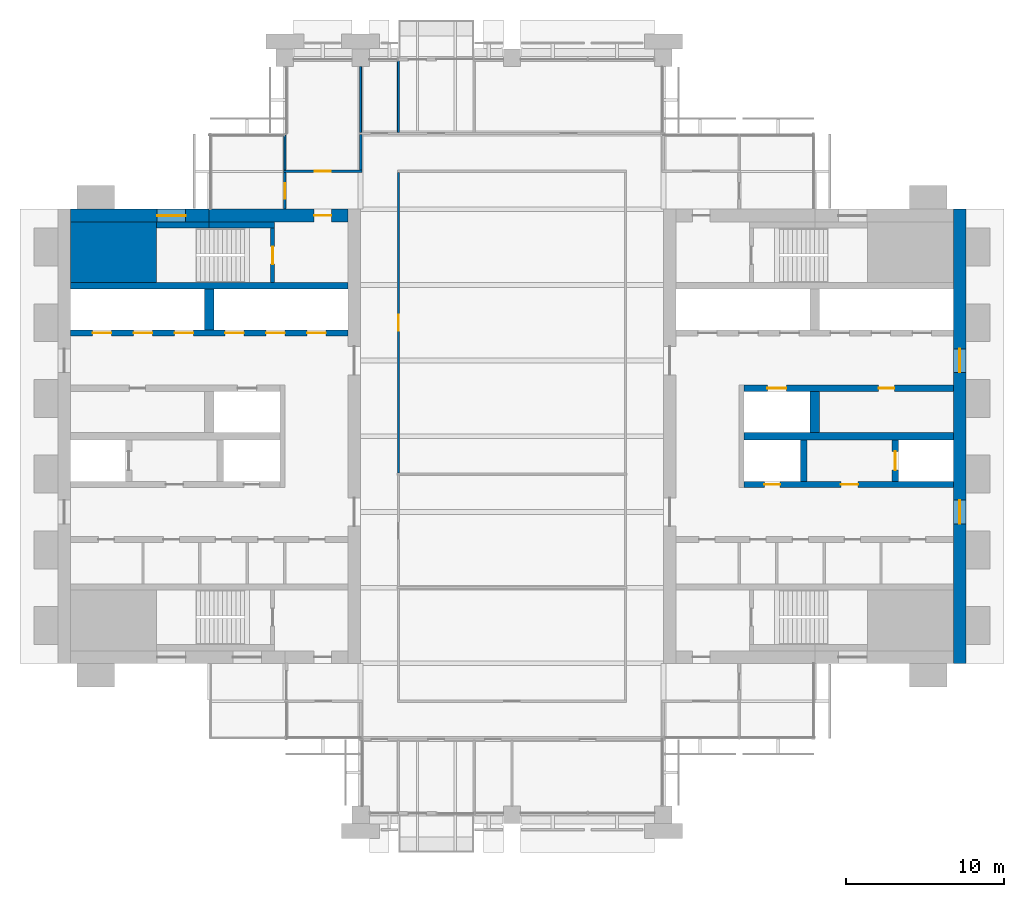
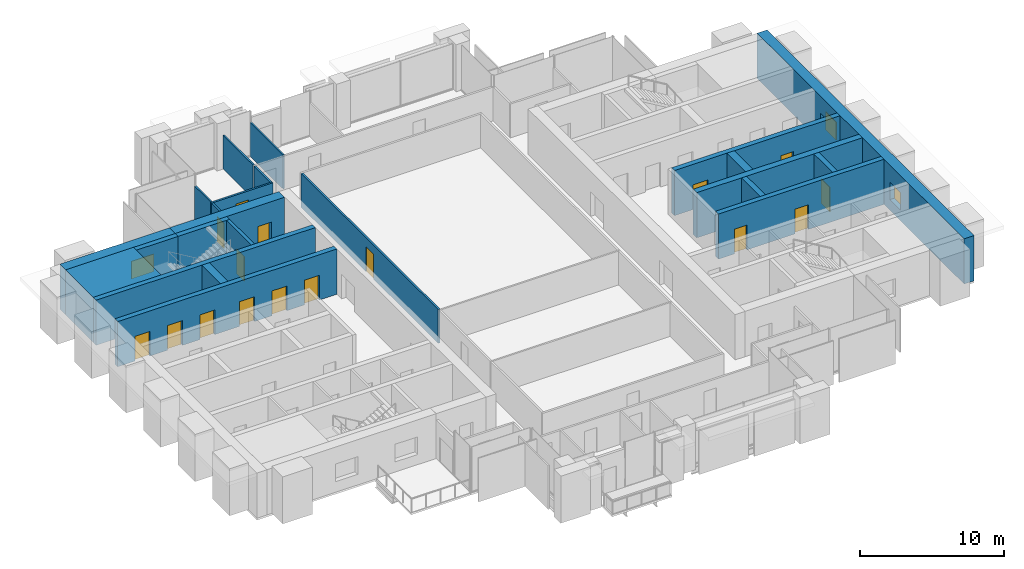
# One storey, part 10 of 14: 23 walls, 16 doors, 3 windows, 19 openings.
"""IFC4 building model written with IfcOpenShell, lengths in metres."""

from ifc_helpers import new_model, si_unit, direction, frame, frame_2d, origin, place, context, subcontext, project, spatial, rectangle, extrude, material, layer, layer_set, type_object, element, fill, save


model = new_model("IFC4")

# Units and contexts
model_context = context("Model", 3, precision=1e-05, world=origin(), true_north=direction((0.0, 1.0)))
body_context = subcontext(model_context, "Body", "Model", "MODEL_VIEW")
ifc_project = project(units=[si_unit("LENGTHUNIT", "METRE"), si_unit("AREAUNIT", "SQUARE_METRE"), si_unit("VOLUMEUNIT", "CUBIC_METRE"), si_unit("PLANEANGLEUNIT", "RADIAN"), si_unit("MASSUNIT", "GRAM", prefix="KILO")], contexts=[model_context])

# Site, building, storey
site_placement = place(None, origin())
site = spatial("IfcSite", under=ifc_project, at=site_placement, CompositionType="ELEMENT")
building_placement = place(site_placement, origin())
building = spatial("IfcBuilding", under=site, at=building_placement, Name="Baori Bourse Tower", CompositionType="ELEMENT")
storey_placement = place(building_placement, frame((0.0, 0.0, 209.199951171875)))
storey = spatial("IfcBuildingStorey", under=building, at=storey_placement, Name="L45", CompositionType="ELEMENT", Elevation=209.199951171875)

# Wall
ifc_material_1 = material(Name="Concrete f'c 50 MPa", Category="concrete")
wall_type_1 = type_object("IfcWallType", Name="Core corner block f'c 50", PredefinedType="SHEAR", material=ifc_material_1)
wall_1_placement = place(storey_placement, frame((0.800048828125, 35.675048828125, 0.0), z_axis=(0.0, 0.0, 1.0), x_axis=(1.0, 0.0, 0.0)))
element("IfcWall", 1, at=wall_1_placement, inside=storey, type_object=wall_type_1, Name="Core wall W24", PredefinedType="SHEAR", context=body_context, shape_type="SweptSolid", body=[
    extrude(rectangle(XDim=5.449951171875, YDim=3.85009765625, at=frame_2d((2.72509765625, 0.0))), origin(), (0.0, 0.0, 1.0), 3.840087890625),
])

# Wall, opening, window
ifc_material_2 = material(Name="Concrete f'c 50 MPa", Category="concrete")
ifc_layer_1 = layer(ifc_material_2, 0.800048828125)
ifc_layer_set_1 = layer_set([ifc_layer_1], Name="Core wall 800 f'c 50")
wall_type_2 = type_object("IfcWallType", Name="Core wall 800 f'c 50", PredefinedType="SHEAR", material=ifc_layer_set_1)
wall_2_placement = place(storey_placement, frame((0.800048828125, 38.0, 0.0), z_axis=(0.0, 0.0, 1.0), x_axis=(1.0, 0.0, 0.0)))
wall_2 = element("IfcWall", 2, at=wall_2_placement, inside=storey, type_object=wall_type_2, Name="Core wall W28", PredefinedType="SHEAR", context=body_context, shape_type="SweptSolid", body=[
    extrude(rectangle(XDim=8.800048828125, YDim=0.800048828125, at=frame_2d((4.39990234375, 0.0))), origin(), (0.0, 0.0, 1.0), 3.840087890625),
])
opening_1_placement = place(wall_2_placement, frame((5.5, 0.0, 0.89990234375)))
opening_1 = element("IfcOpeningElement", 3, at=opening_1_placement, cuts=wall_2, Name="Opening L45-KW105", PredefinedType="OPENING", context=body_context, shape_type="SweptSolid", body=[
    extrude(rectangle(XDim=1.800048828125, YDim=1.5, at=frame_2d((0.89990234375, 0.75))), frame((0.0, 0.409912109375, 0.0), z_axis=(0.0, -1.0, 0.0), x_axis=(1.0, 0.0, 0.0)), (0.0, 0.0, 1.0), 0.820068359375),
])
ifc_material_3 = material(Name="Pale anodised aluminium", Category="aluminium")
window_type_1 = type_object("IfcWindowType", Name="Stair window 1800 x 1500", PartitioningType="SINGLE_PANEL", PredefinedType="WINDOW", material=ifc_material_3)
window_1_placement = place(opening_1_placement, origin())
window_1 = element("IfcWindow", 4, at=window_1_placement, inside=storey, type_object=window_type_1, Name="Stair window W L45 5", OverallHeight=1.5, OverallWidth=1.800048828125, PartitioningType="SINGLE_PANEL", PredefinedType="WINDOW", context=body_context, shape_type="SweptSolid", body=[
    extrude(rectangle(XDim=1.800048828125, YDim=1.5, at=frame_2d((0.89990234375, 0.75))), frame((0.0, 0.030029296875, 0.0), z_axis=(0.0, -1.0, 0.0), x_axis=(1.0, 0.0, 0.0)), (0.0, 0.0, 1.0), 0.06005859375),
])
fill(opening_1, window_1)

# Wall, opening, door
wall_3_placement = place(storey_placement, frame((9.60009765625, 38.0, 0.0), z_axis=(0.0, 0.0, 1.0), x_axis=(1.0, 0.0, 0.0)))
wall_3 = element("IfcWall", 5, at=wall_3_placement, inside=storey, type_object=wall_type_2, Name="Core wall W29", PredefinedType="SHEAR", context=body_context, shape_type="SweptSolid", body=[
    extrude(rectangle(XDim=8.7998046875, YDim=0.800048828125, at=frame_2d((4.39990234375, 0.0))), origin(), (0.0, 0.0, 1.0), 3.840087890625),
])
opening_2_placement = place(wall_3_placement, frame((6.64990234375, 0.0, 0.0)))
opening_2 = element("IfcOpeningElement", 6, at=opening_2_placement, cuts=wall_3, Name="Opening L45-D104", PredefinedType="OPENING", context=body_context, shape_type="SweptSolid", body=[
    extrude(rectangle(XDim=1.10009765625, YDim=2.10009765625, at=frame_2d((0.550048828125, 1.050048828125))), frame((0.0, 0.409912109375, 0.0), z_axis=(0.0, -1.0, 0.0), x_axis=(1.0, 0.0, 0.0)), (0.0, 0.0, 1.0), 0.820068359375),
])
ifc_material_4 = material(Name="Painted steel door", Category="steel")
door_type_1 = type_object("IfcDoorType", Name="Stair door 1100", OperationType="SINGLE_SWING_LEFT", PredefinedType="DOOR", material=ifc_material_4)
door_1_placement = place(opening_2_placement, origin())
door_1 = element("IfcDoor", 7, at=door_1_placement, inside=storey, type_object=door_type_1, Name="Stair vestibule door B W L45", OperationType="SINGLE_SWING_LEFT", OverallHeight=2.10009765625, OverallWidth=1.10009765625, PredefinedType="DOOR", context=body_context, shape_type="SweptSolid", body=[
    extrude(rectangle(XDim=1.10009765625, YDim=2.10009765625, at=frame_2d((0.550048828125, 1.050048828125))), frame((0.0, 0.02490234375, 0.0), z_axis=(0.0, -1.0, 0.0), x_axis=(1.0, 0.0, 0.0)), (0.0, 0.0, 1.0), 0.050048828125),
])
fill(opening_2, door_1)

# Wall, openings, windows
wall_4_placement = place(storey_placement, frame((57.199951171875, 38.39990234375, 0.0), z_axis=(0.0, 0.0, 1.0), x_axis=(0.0, -1.0, 0.0)))
wall_4 = element("IfcWall", 8, at=wall_4_placement, inside=storey, type_object=wall_type_2, Name="Core wall E01", PredefinedType="SHEAR", context=body_context, shape_type="SweptSolid", body=[
    extrude(rectangle(XDim=28.7998046875, YDim=0.800048828125, at=frame_2d((14.39990234375, 0.0))), origin(), (0.0, 0.0, 1.0), 3.840087890625),
])
opening_3_placement = place(wall_4_placement, frame((18.449951171875, 0.0, 0.89990234375)))
opening_3 = element("IfcOpeningElement", 9, at=opening_3_placement, cuts=wall_4, Name="Opening L45-KW201", PredefinedType="OPENING", context=body_context, shape_type="SweptSolid", body=[
    extrude(rectangle(XDim=1.5, YDim=1.5, at=frame_2d((0.75, 0.75))), frame((0.0, 0.409912109375, 0.0), z_axis=(0.0, -1.0, 0.0), x_axis=(1.0, 0.0, 0.0)), (0.0, 0.0, 1.0), 0.820068359375),
])
opening_4_placement = place(wall_4_placement, frame((8.85009765625, 0.0, 0.89990234375)))
opening_4 = element("IfcOpeningElement", 10, at=opening_4_placement, cuts=wall_4, Name="Opening L45-KW202", PredefinedType="OPENING", context=body_context, shape_type="SweptSolid", body=[
    extrude(rectangle(XDim=1.5, YDim=1.5, at=frame_2d((0.75, 0.75))), frame((0.0, 0.409912109375, 0.0), z_axis=(0.0, -1.0, 0.0), x_axis=(1.0, 0.0, 0.0)), (0.0, 0.0, 1.0), 0.820068359375),
])
ifc_material_5 = material(Name="Pale anodised aluminium", Category="aluminium")
window_type_2 = type_object("IfcWindowType", Name="Lobby window 1500 x 1500", PartitioningType="SINGLE_PANEL", PredefinedType="WINDOW", material=ifc_material_5)
window_2_placement = place(opening_3_placement, origin())
window_2 = element("IfcWindow", 11, at=window_2_placement, inside=storey, type_object=window_type_2, Name="Outer wall window E L45 1", OverallHeight=1.5, OverallWidth=1.5, PartitioningType="SINGLE_PANEL", PredefinedType="WINDOW", context=body_context, shape_type="SweptSolid", body=[
    extrude(rectangle(XDim=1.5, YDim=1.5, at=frame_2d((0.75, 0.75))), frame((0.0, 0.030029296875, 0.0), z_axis=(0.0, -1.0, 0.0), x_axis=(1.0, 0.0, 0.0)), (0.0, 0.0, 1.0), 0.06005859375),
])
fill(opening_3, window_2)
window_3_placement = place(opening_4_placement, origin())
window_3 = element("IfcWindow", 12, at=window_3_placement, inside=storey, type_object=window_type_2, Name="Outer wall window E L45 2", OverallHeight=1.5, OverallWidth=1.5, PartitioningType="SINGLE_PANEL", PredefinedType="WINDOW", context=body_context, shape_type="SweptSolid", body=[
    extrude(rectangle(XDim=1.5, YDim=1.5, at=frame_2d((0.75, 0.75))), frame((0.0, 0.030029296875, 0.0), z_axis=(0.0, -1.0, 0.0), x_axis=(1.0, 0.0, 0.0)), (0.0, 0.0, 1.0), 0.06005859375),
])
fill(opening_4, window_3)

# Wall, opening, door
ifc_material_6 = material(Name="Gypsum board partition")
ifc_layer_2 = layer(ifc_material_6, 0.14990234375)
ifc_layer_set_2 = layer_set([ifc_layer_2], Name="Corridor partition 150")
wall_type_3 = type_object("IfcWallType", Name="Corridor partition 150", PredefinedType="PARTITIONING", material=ifc_layer_set_2)
wall_5_placement = place(storey_placement, frame((14.324951171875, 40.800048828125, 0.0), z_axis=(0.0, 0.0, 1.0), x_axis=(1.0, 0.0, 0.0)))
wall_5 = element("IfcWall", 13, at=wall_5_placement, inside=storey, type_object=wall_type_3, Name="Partition", PredefinedType="PARTITIONING", context=body_context, shape_type="SweptSolid", body=[
    extrude(rectangle(XDim=4.949951171875, YDim=0.14990234375, at=frame_2d((2.47509765625, 0.0))), origin(), (0.0, 0.0, 1.0), 2.869873046875),
])
opening_5_placement = place(wall_5_placement, frame((1.97509765625, 0.0, 0.0)))
opening_5 = element("IfcOpeningElement", 14, at=opening_5_placement, cuts=wall_5, Name="Opening L45-D08", PredefinedType="OPENING", context=body_context, shape_type="SweptSolid", body=[
    extrude(rectangle(XDim=1.0, YDim=2.10009765625, at=frame_2d((0.5, 1.050048828125))), frame((0.0, 0.0849609375, 0.0), z_axis=(0.0, -1.0, 0.0), x_axis=(1.0, 0.0, 0.0)), (0.0, 0.0, 1.0), 0.169921875),
])
ifc_material_7 = material(Name="Timber door leaf", Category="wood")
door_type_2 = type_object("IfcDoorType", Name="Door 1000 x 2100", OperationType="SINGLE_SWING_LEFT", PredefinedType="DOOR", material=ifc_material_7)
door_2_placement = place(opening_5_placement, origin())
door_2 = element("IfcDoor", 15, at=door_2_placement, inside=storey, type_object=door_type_2, Name="Door", OperationType="SINGLE_SWING_LEFT", OverallHeight=2.10009765625, OverallWidth=1.0, PredefinedType="DOOR", context=body_context, shape_type="SweptSolid", body=[
    extrude(rectangle(XDim=1.0, YDim=2.10009765625, at=frame_2d((0.5, 1.050048828125))), frame((0.0, 0.02490234375, 0.0), z_axis=(0.0, -1.0, 0.0), x_axis=(1.0, 0.0, 0.0)), (0.0, 0.0, 1.0), 0.050048828125),
])
fill(opening_5, door_2)

wall_6_placement = place(storey_placement, frame((14.39990234375, 38.39990234375, 0.0), z_axis=(0.0, 0.0, 1.0), x_axis=(0.0, 1.0, 0.0)))
wall_6 = element("IfcWall", 16, at=wall_6_placement, inside=storey, type_object=wall_type_3, Name="Partition", PredefinedType="PARTITIONING", context=body_context, shape_type="SweptSolid", body=[
    extrude(rectangle(XDim=2.3251953125, YDim=0.14990234375, at=frame_2d((1.16259765625, 0.0))), origin(), (0.0, 0.0, 1.0), 2.869873046875),
])
opening_6_placement = place(wall_6_placement, frame((0.66259765625, 0.0, 0.0)))
opening_6 = element("IfcOpeningElement", 17, at=opening_6_placement, cuts=wall_6, Name="Opening L45-D13", PredefinedType="OPENING", context=body_context, shape_type="SweptSolid", body=[
    extrude(rectangle(XDim=1.0, YDim=2.10009765625, at=frame_2d((0.5, 1.050048828125))), frame((0.0, 0.0849609375, 0.0), z_axis=(0.0, -1.0, 0.0), x_axis=(1.0, 0.0, 0.0)), (0.0, 0.0, 1.0), 0.169921875),
])
door_3_placement = place(opening_6_placement, origin())
door_3 = element("IfcDoor", 18, at=door_3_placement, inside=storey, type_object=door_type_2, Name="Door", OperationType="SINGLE_SWING_RIGHT", OverallHeight=2.10009765625, OverallWidth=1.0, PredefinedType="DOOR", context=body_context, shape_type="SweptSolid", body=[
    extrude(rectangle(XDim=1.0, YDim=2.10009765625, at=frame_2d((0.5, 1.050048828125))), frame((0.0, 0.02490234375, 0.0), z_axis=(0.0, -1.0, 0.0), x_axis=(1.0, 0.0, 0.0)), (0.0, 0.0, 1.0), 0.050048828125),
])
fill(opening_6, door_3)

# Wall
wall_7_placement = place(storey_placement, frame((19.199951171875, 40.875, 0.0), z_axis=(0.0, 0.0, 1.0), x_axis=(0.0, 1.0, 0.0)))
element("IfcWall", 19, at=wall_7_placement, inside=storey, type_object=wall_type_3, Name="Partition", PredefinedType="PARTITIONING", context=body_context, shape_type="SweptSolid", body=[
    extrude(rectangle(XDim=2.25, YDim=0.14990234375, at=frame_2d((1.125, 0.0))), origin(), (0.0, 0.0, 1.0), 2.869873046875),
])

# Wall, opening, door
wall_8_placement = place(storey_placement, frame((21.60009765625, 21.66259765625, 0.0), z_axis=(0.0, 0.0, 1.0), x_axis=(0.0, 1.0, 0.0)))
wall_8 = element("IfcWall", 20, at=wall_8_placement, inside=storey, type_object=wall_type_3, Name="Partition", PredefinedType="PARTITIONING", context=body_context, shape_type="SweptSolid", body=[
    extrude(rectangle(XDim=19.0625, YDim=0.14990234375, at=frame_2d((9.53125, 0.0))), origin(), (0.0, 0.0, 1.0), 2.869873046875),
])
opening_7_placement = place(wall_8_placement, frame((9.03125, 0.0, 0.0)))
opening_7 = element("IfcOpeningElement", 21, at=opening_7_placement, cuts=wall_8, Name="Opening L45-D15", PredefinedType="OPENING", context=body_context, shape_type="SweptSolid", body=[
    extrude(rectangle(XDim=1.0, YDim=2.10009765625, at=frame_2d((0.5, 1.050048828125))), frame((0.0, 0.0849609375, 0.0), z_axis=(0.0, -1.0, 0.0), x_axis=(1.0, 0.0, 0.0)), (0.0, 0.0, 1.0), 0.169921875),
])
door_4_placement = place(opening_7_placement, origin())
door_4 = element("IfcDoor", 22, at=door_4_placement, inside=storey, type_object=door_type_2, Name="Door", OperationType="SINGLE_SWING_LEFT", OverallHeight=2.10009765625, OverallWidth=1.0, PredefinedType="DOOR", context=body_context, shape_type="SweptSolid", body=[
    extrude(rectangle(XDim=1.0, YDim=2.10009765625, at=frame_2d((0.5, 1.050048828125))), frame((0.0, 0.02490234375, 0.0), z_axis=(0.0, -1.0, 0.0), x_axis=(1.0, 0.0, 0.0)), (0.0, 0.0, 1.0), 0.050048828125),
])
fill(opening_7, door_4)

# Walls
ifc_material_8 = material(Name="Gypsum board partition")
ifc_layer_3 = layer(ifc_material_8, 0.125)
ifc_layer_set_3 = layer_set([ifc_layer_3], Name="Partition 125")
wall_type_4 = type_object("IfcWallType", Name="Partition 125", PredefinedType="PARTITIONING", material=ifc_layer_set_3)
wall_9_placement = place(storey_placement, frame((14.39990234375, 40.875, 0.0), z_axis=(0.0, 0.0, 1.0), x_axis=(0.0, 1.0, 0.0)))
element("IfcWall", 23, at=wall_9_placement, inside=storey, type_object=wall_type_4, Name="Partition", PredefinedType="PARTITIONING", context=body_context, shape_type="SweptSolid", body=[
    extrude(rectangle(XDim=2.22509765625, YDim=0.125, at=frame_2d((1.112548828125, 0.0))), origin(), (0.0, 0.0, 1.0), 2.869873046875),
])
wall_10_placement = place(storey_placement, frame((19.199951171875, 43.27490234375, 0.0), z_axis=(0.0, 0.0, 1.0), x_axis=(0.0, 1.0, 0.0)))
element("IfcWall", 24, at=wall_10_placement, inside=storey, type_object=wall_type_4, Name="Partition", PredefinedType="PARTITIONING", context=body_context, shape_type="SweptSolid", body=[
    extrude(rectangle(XDim=4.175048828125, YDim=0.125, at=frame_2d((2.08740234375, 0.0))), origin(), (0.0, 0.0, 1.0), 2.869873046875),
])
wall_11_placement = place(storey_placement, frame((21.60009765625, 43.27490234375, 0.0), z_axis=(0.0, 0.0, 1.0), x_axis=(0.0, 1.0, 0.0)))
element("IfcWall", 25, at=wall_11_placement, inside=storey, type_object=wall_type_4, Name="Partition", PredefinedType="PARTITIONING", context=body_context, shape_type="SweptSolid", body=[
    extrude(rectangle(XDim=4.625, YDim=0.125, at=frame_2d((2.3125, 0.0))), origin(), (0.0, 0.0, 1.0), 2.869873046875),
])

# Wall, opening, door
ifc_material_9 = material(Name="Concrete f'c 50 MPa", Category="concrete")
ifc_layer_4 = layer(ifc_material_9, 0.25)
ifc_layer_set_4 = layer_set([ifc_layer_4], Name="Shaft wall 250 f'c 50")
wall_type_5 = type_object("IfcWallType", Name="Shaft wall 250 f'c 50", PredefinedType="SHEAR", material=ifc_layer_set_4)
wall_12_placement = place(storey_placement, frame((13.625, 33.75, 0.0), z_axis=(0.0, 0.0, 1.0), x_axis=(0.0, 1.0, 0.0)))
wall_12 = element("IfcWall", 26, at=wall_12_placement, inside=storey, type_object=wall_type_5, Name="Core wall W25", PredefinedType="SHEAR", context=body_context, shape_type="SweptSolid", body=[
    extrude(rectangle(XDim=3.449951171875, YDim=0.25, at=frame_2d((1.72509765625, 0.0))), origin(), (0.0, 0.0, 1.0), 3.840087890625),
])
opening_8_placement = place(wall_12_placement, frame((1.175048828125, 0.0, 0.0)))
opening_8 = element("IfcOpeningElement", 27, at=opening_8_placement, cuts=wall_12, Name="Opening L45-D103", PredefinedType="OPENING", context=body_context, shape_type="SweptSolid", body=[
    extrude(rectangle(XDim=1.10009765625, YDim=2.10009765625, at=frame_2d((0.550048828125, 1.050048828125))), frame((0.0, 0.135009765625, 0.0), z_axis=(0.0, -1.0, 0.0), x_axis=(1.0, 0.0, 0.0)), (0.0, 0.0, 1.0), 0.27001953125),
])
door_5_placement = place(opening_8_placement, origin())
door_5 = element("IfcDoor", 28, at=door_5_placement, inside=storey, type_object=door_type_1, Name="Stair door B W L45", OperationType="SINGLE_SWING_LEFT", OverallHeight=2.10009765625, OverallWidth=1.10009765625, PredefinedType="DOOR", context=body_context, shape_type="SweptSolid", body=[
    extrude(rectangle(XDim=1.10009765625, YDim=2.10009765625, at=frame_2d((0.550048828125, 1.050048828125))), frame((0.0, 0.02490234375, 0.0), z_axis=(0.0, -1.0, 0.0), x_axis=(1.0, 0.0, 0.0)), (0.0, 0.0, 1.0), 0.050048828125),
])
fill(opening_8, door_5)

# Wall, openings, doors
ifc_material_10 = material(Name="Concrete f'c 50 MPa", Category="concrete")
ifc_layer_5 = layer(ifc_material_10, 0.39990234375)
ifc_layer_set_5 = layer_set([ifc_layer_5], Name="Shaft wall 400 f'c 50")
wall_type_6 = type_object("IfcWallType", Name="Shaft wall 400 f'c 50", PredefinedType="SHEAR", material=ifc_layer_set_5)
wall_13_placement = place(storey_placement, frame((0.800048828125, 30.550048828125, 0.0), z_axis=(0.0, 0.0, 1.0), x_axis=(1.0, 0.0, 0.0)))
wall_13 = element("IfcWall", 29, at=wall_13_placement, inside=storey, type_object=wall_type_6, Name="Core wall W21", PredefinedType="SHEAR", context=body_context, shape_type="SweptSolid", body=[
    extrude(rectangle(XDim=17.599853515625, YDim=0.39990234375, at=frame_2d((8.7998046875, 0.0))), origin(), (0.0, 0.0, 1.0), 3.840087890625),
])
opening_9_placement = place(wall_13_placement, frame((1.39990234375, 0.0, 0.0)))
opening_9 = element("IfcOpeningElement", 30, at=opening_9_placement, cuts=wall_13, Name="Opening L45-D115", PredefinedType="OPENING", context=body_context, shape_type="SweptSolid", body=[
    extrude(rectangle(XDim=1.199951171875, YDim=2.10009765625, at=frame_2d((0.60009765625, 1.050048828125))), frame((0.0, 0.2099609375, 0.0), z_axis=(0.0, -1.0, 0.0), x_axis=(1.0, 0.0, 0.0)), (0.0, 0.0, 1.0), 0.419921875),
])
opening_10_placement = place(wall_13_placement, frame((4.0, 0.0, 0.0)))
opening_10 = element("IfcOpeningElement", 31, at=opening_10_placement, cuts=wall_13, Name="Opening L45-D116", PredefinedType="OPENING", context=body_context, shape_type="SweptSolid", body=[
    extrude(rectangle(XDim=1.199951171875, YDim=2.10009765625, at=frame_2d((0.60009765625, 1.050048828125))), frame((0.0, 0.2099609375, 0.0), z_axis=(0.0, -1.0, 0.0), x_axis=(1.0, 0.0, 0.0)), (0.0, 0.0, 1.0), 0.419921875),
])
opening_11_placement = place(wall_13_placement, frame((6.60009765625, 0.0, 0.0)))
opening_11 = element("IfcOpeningElement", 32, at=opening_11_placement, cuts=wall_13, Name="Opening L45-D117", PredefinedType="OPENING", context=body_context, shape_type="SweptSolid", body=[
    extrude(rectangle(XDim=1.199951171875, YDim=2.10009765625, at=frame_2d((0.60009765625, 1.050048828125))), frame((0.0, 0.2099609375, 0.0), z_axis=(0.0, -1.0, 0.0), x_axis=(1.0, 0.0, 0.0)), (0.0, 0.0, 1.0), 0.419921875),
])
opening_12_placement = place(wall_13_placement, frame((9.800048828125, 0.0, 0.0)))
opening_12 = element("IfcOpeningElement", 33, at=opening_12_placement, cuts=wall_13, Name="Opening L45-D118", PredefinedType="OPENING", context=body_context, shape_type="SweptSolid", body=[
    extrude(rectangle(XDim=1.199951171875, YDim=2.10009765625, at=frame_2d((0.60009765625, 1.050048828125))), frame((0.0, 0.2099609375, 0.0), z_axis=(0.0, -1.0, 0.0), x_axis=(1.0, 0.0, 0.0)), (0.0, 0.0, 1.0), 0.419921875),
])
opening_13_placement = place(wall_13_placement, frame((12.39990234375, 0.0, 0.0)))
opening_13 = element("IfcOpeningElement", 34, at=opening_13_placement, cuts=wall_13, Name="Opening L45-D119", PredefinedType="OPENING", context=body_context, shape_type="SweptSolid", body=[
    extrude(rectangle(XDim=1.199951171875, YDim=2.10009765625, at=frame_2d((0.60009765625, 1.050048828125))), frame((0.0, 0.2099609375, 0.0), z_axis=(0.0, -1.0, 0.0), x_axis=(1.0, 0.0, 0.0)), (0.0, 0.0, 1.0), 0.419921875),
])
opening_14_placement = place(wall_13_placement, frame((15.0, 0.0, 0.0)))
opening_14 = element("IfcOpeningElement", 35, at=opening_14_placement, cuts=wall_13, Name="Opening L45-D120", PredefinedType="OPENING", context=body_context, shape_type="SweptSolid", body=[
    extrude(rectangle(XDim=1.199951171875, YDim=2.10009765625, at=frame_2d((0.60009765625, 1.050048828125))), frame((0.0, 0.2099609375, 0.0), z_axis=(0.0, -1.0, 0.0), x_axis=(1.0, 0.0, 0.0)), (0.0, 0.0, 1.0), 0.419921875),
])
ifc_material_11 = material(Name="Stainless steel door", Category="steel")
door_type_3 = type_object("IfcDoorType", Name="Lift landing door", OperationType="DOUBLE_DOOR_SLIDING", PredefinedType="DOOR", material=ifc_material_11)
door_6_placement = place(opening_9_placement, origin())
door_6 = element("IfcDoor", 36, at=door_6_placement, inside=storey, type_object=door_type_3, Name="Lift landing door HR1 W L45", OperationType="DOUBLE_DOOR_SLIDING", OverallHeight=2.10009765625, OverallWidth=1.199951171875, PredefinedType="DOOR", context=body_context, shape_type="SweptSolid", body=[
    extrude(rectangle(XDim=1.199951171875, YDim=2.10009765625, at=frame_2d((0.60009765625, 1.050048828125))), frame((0.0, 0.02490234375, 0.0), z_axis=(0.0, -1.0, 0.0), x_axis=(1.0, 0.0, 0.0)), (0.0, 0.0, 1.0), 0.050048828125),
])
fill(opening_9, door_6)
door_7_placement = place(opening_10_placement, origin())
door_7 = element("IfcDoor", 37, at=door_7_placement, inside=storey, type_object=door_type_3, Name="Lift landing door HR2 W L45", OperationType="DOUBLE_DOOR_SLIDING", OverallHeight=2.10009765625, OverallWidth=1.199951171875, PredefinedType="DOOR", context=body_context, shape_type="SweptSolid", body=[
    extrude(rectangle(XDim=1.199951171875, YDim=2.10009765625, at=frame_2d((0.60009765625, 1.050048828125))), frame((0.0, 0.02490234375, 0.0), z_axis=(0.0, -1.0, 0.0), x_axis=(1.0, 0.0, 0.0)), (0.0, 0.0, 1.0), 0.050048828125),
])
fill(opening_10, door_7)
door_8_placement = place(opening_11_placement, origin())
door_8 = element("IfcDoor", 38, at=door_8_placement, inside=storey, type_object=door_type_3, Name="Lift landing door HR3 W L45", OperationType="DOUBLE_DOOR_SLIDING", OverallHeight=2.10009765625, OverallWidth=1.199951171875, PredefinedType="DOOR", context=body_context, shape_type="SweptSolid", body=[
    extrude(rectangle(XDim=1.199951171875, YDim=2.10009765625, at=frame_2d((0.60009765625, 1.050048828125))), frame((0.0, 0.02490234375, 0.0), z_axis=(0.0, -1.0, 0.0), x_axis=(1.0, 0.0, 0.0)), (0.0, 0.0, 1.0), 0.050048828125),
])
fill(opening_11, door_8)
door_9_placement = place(opening_12_placement, origin())
door_9 = element("IfcDoor", 39, at=door_9_placement, inside=storey, type_object=door_type_3, Name="Lift landing door HR4 W L45", OperationType="DOUBLE_DOOR_SLIDING", OverallHeight=2.10009765625, OverallWidth=1.199951171875, PredefinedType="DOOR", context=body_context, shape_type="SweptSolid", body=[
    extrude(rectangle(XDim=1.199951171875, YDim=2.10009765625, at=frame_2d((0.60009765625, 1.050048828125))), frame((0.0, 0.02490234375, 0.0), z_axis=(0.0, -1.0, 0.0), x_axis=(1.0, 0.0, 0.0)), (0.0, 0.0, 1.0), 0.050048828125),
])
fill(opening_12, door_9)
door_10_placement = place(opening_13_placement, origin())
door_10 = element("IfcDoor", 40, at=door_10_placement, inside=storey, type_object=door_type_3, Name="Lift landing door HR5 W L45", OperationType="DOUBLE_DOOR_SLIDING", OverallHeight=2.10009765625, OverallWidth=1.199951171875, PredefinedType="DOOR", context=body_context, shape_type="SweptSolid", body=[
    extrude(rectangle(XDim=1.199951171875, YDim=2.10009765625, at=frame_2d((0.60009765625, 1.050048828125))), frame((0.0, 0.02490234375, 0.0), z_axis=(0.0, -1.0, 0.0), x_axis=(1.0, 0.0, 0.0)), (0.0, 0.0, 1.0), 0.050048828125),
])
fill(opening_13, door_10)
door_11_placement = place(opening_14_placement, origin())
door_11 = element("IfcDoor", 41, at=door_11_placement, inside=storey, type_object=door_type_3, Name="Lift landing door HR6 W L45", OperationType="DOUBLE_DOOR_SLIDING", OverallHeight=2.10009765625, OverallWidth=1.199951171875, PredefinedType="DOOR", context=body_context, shape_type="SweptSolid", body=[
    extrude(rectangle(XDim=1.199951171875, YDim=2.10009765625, at=frame_2d((0.60009765625, 1.050048828125))), frame((0.0, 0.02490234375, 0.0), z_axis=(0.0, -1.0, 0.0), x_axis=(1.0, 0.0, 0.0)), (0.0, 0.0, 1.0), 0.050048828125),
])
fill(opening_14, door_11)

# Walls
wall_14_placement = place(storey_placement, frame((0.800048828125, 33.550048828125, 0.0), z_axis=(0.0, 0.0, 1.0), x_axis=(1.0, 0.0, 0.0)))
element("IfcWall", 42, at=wall_14_placement, inside=storey, type_object=wall_type_6, Name="Core wall W23", PredefinedType="SHEAR", context=body_context, shape_type="SweptSolid", body=[
    extrude(rectangle(XDim=17.599853515625, YDim=0.39990234375, at=frame_2d((8.7998046875, 0.0))), origin(), (0.0, 0.0, 1.0), 3.840087890625),
])
wall_15_placement = place(storey_placement, frame((6.25, 37.39990234375, 0.0), z_axis=(0.0, 0.0, 1.0), x_axis=(1.0, 0.0, 0.0)))
element("IfcWall", 43, at=wall_15_placement, inside=storey, type_object=wall_type_6, Name="Core wall W26", PredefinedType="SHEAR", context=body_context, shape_type="SweptSolid", body=[
    extrude(rectangle(XDim=3.35009765625, YDim=0.39990234375, at=frame_2d((1.675048828125, 0.0))), origin(), (0.0, 0.0, 1.0), 3.840087890625),
])
wall_16_placement = place(storey_placement, frame((9.60009765625, 37.39990234375, 0.0), z_axis=(0.0, 0.0, 1.0), x_axis=(1.0, 0.0, 0.0)))
element("IfcWall", 44, at=wall_16_placement, inside=storey, type_object=wall_type_6, Name="Core wall W27", PredefinedType="SHEAR", context=body_context, shape_type="SweptSolid", body=[
    extrude(rectangle(XDim=4.14990234375, YDim=0.39990234375, at=frame_2d((2.074951171875, 0.0))), origin(), (0.0, 0.0, 1.0), 3.840087890625),
])

# Wall, openings, doors
wall_17_placement = place(storey_placement, frame((43.5, 20.949951171875, 0.0), z_axis=(0.0, 0.0, 1.0), x_axis=(1.0, 0.0, 0.0)))
wall_17 = element("IfcWall", 45, at=wall_17_placement, inside=storey, type_object=wall_type_6, Name="Core wall E15", PredefinedType="SHEAR", context=body_context, shape_type="SweptSolid", body=[
    extrude(rectangle(XDim=13.300048828125, YDim=0.39990234375, at=frame_2d((6.64990234375, 0.0))), origin(), (0.0, 0.0, 1.0), 3.840087890625),
])
opening_15_placement = place(wall_17_placement, frame((6.14990234375, 0.0, 0.0)))
opening_15 = element("IfcOpeningElement", 46, at=opening_15_placement, cuts=wall_17, Name="Opening L45-D205", PredefinedType="OPENING", context=body_context, shape_type="SweptSolid", body=[
    extrude(rectangle(XDim=1.10009765625, YDim=2.10009765625, at=frame_2d((0.550048828125, 1.050048828125))), frame((0.0, 0.2099609375, 0.0), z_axis=(0.0, -1.0, 0.0), x_axis=(1.0, 0.0, 0.0)), (0.0, 0.0, 1.0), 0.419921875),
])
opening_16_placement = place(wall_17_placement, frame((1.300048828125, 0.0, 0.0)))
opening_16 = element("IfcOpeningElement", 47, at=opening_16_placement, cuts=wall_17, Name="Opening L45-D206", PredefinedType="OPENING", context=body_context, shape_type="SweptSolid", body=[
    extrude(rectangle(XDim=1.0, YDim=2.10009765625, at=frame_2d((0.5, 1.050048828125))), frame((0.0, 0.2099609375, 0.0), z_axis=(0.0, -1.0, 0.0), x_axis=(1.0, 0.0, 0.0)), (0.0, 0.0, 1.0), 0.419921875),
])
ifc_material_12 = material(Name="Painted steel door", Category="steel")
door_type_4 = type_object("IfcDoorType", Name="Lobby door 1100", OperationType="SINGLE_SWING_LEFT", PredefinedType="DOOR", material=ifc_material_12)
door_12_placement = place(opening_15_placement, origin())
door_12 = element("IfcDoor", 48, at=door_12_placement, inside=storey, type_object=door_type_4, Name="Firefighting lobby door E L45", OperationType="SINGLE_SWING_LEFT", OverallHeight=2.10009765625, OverallWidth=1.10009765625, PredefinedType="DOOR", context=body_context, shape_type="SweptSolid", body=[
    extrude(rectangle(XDim=1.10009765625, YDim=2.10009765625, at=frame_2d((0.550048828125, 1.050048828125))), frame((0.0, 0.02490234375, 0.0), z_axis=(0.0, -1.0, 0.0), x_axis=(1.0, 0.0, 0.0)), (0.0, 0.0, 1.0), 0.050048828125),
])
fill(opening_15, door_12)
ifc_material_13 = material(Name="Painted steel door", Category="steel")
door_type_5 = type_object("IfcDoorType", Name="Shaft door 1000", OperationType="SINGLE_SWING_LEFT", PredefinedType="DOOR", material=ifc_material_13)
door_13_placement = place(opening_16_placement, origin())
door_13 = element("IfcDoor", 49, at=door_13_placement, inside=storey, type_object=door_type_5, Name="Riser room door E L45", OperationType="SINGLE_SWING_LEFT", OverallHeight=2.10009765625, OverallWidth=1.0, PredefinedType="DOOR", context=body_context, shape_type="SweptSolid", body=[
    extrude(rectangle(XDim=1.0, YDim=2.10009765625, at=frame_2d((0.5, 1.050048828125))), frame((0.0, 0.02490234375, 0.0), z_axis=(0.0, -1.0, 0.0), x_axis=(1.0, 0.0, 0.0)), (0.0, 0.0, 1.0), 0.050048828125),
])
fill(opening_16, door_13)

# Wall, opening, door
wall_18_placement = place(storey_placement, frame((53.10009765625, 21.14990234375, 0.0), z_axis=(0.0, 0.0, 1.0), x_axis=(0.0, 1.0, 0.0)))
wall_18 = element("IfcWall", 50, at=wall_18_placement, inside=storey, type_object=wall_type_6, Name="Core wall E17", PredefinedType="SHEAR", context=body_context, shape_type="SweptSolid", body=[
    extrude(rectangle(XDim=2.60009765625, YDim=0.39990234375, at=frame_2d((1.300048828125, 0.0))), origin(), (0.0, 0.0, 1.0), 3.840087890625),
])
opening_17_placement = place(wall_18_placement, frame((0.699951171875, 0.0, 0.0)))
opening_17 = element("IfcOpeningElement", 51, at=opening_17_placement, cuts=wall_18, Name="Opening L45-D222", PredefinedType="OPENING", context=body_context, shape_type="SweptSolid", body=[
    extrude(rectangle(XDim=1.199951171875, YDim=2.10009765625, at=frame_2d((0.60009765625, 1.050048828125))), frame((0.0, 0.2099609375, 0.0), z_axis=(0.0, -1.0, 0.0), x_axis=(1.0, 0.0, 0.0)), (0.0, 0.0, 1.0), 0.419921875),
])
door_14_placement = place(opening_17_placement, origin())
door_14 = element("IfcDoor", 52, at=door_14_placement, inside=storey, type_object=door_type_3, Name="Lift landing door FF2 E L45", OperationType="DOUBLE_DOOR_SLIDING", OverallHeight=2.10009765625, OverallWidth=1.199951171875, PredefinedType="DOOR", context=body_context, shape_type="SweptSolid", body=[
    extrude(rectangle(XDim=1.199951171875, YDim=2.10009765625, at=frame_2d((0.60009765625, 1.050048828125))), frame((0.0, 0.02490234375, 0.0), z_axis=(0.0, -1.0, 0.0), x_axis=(1.0, 0.0, 0.0)), (0.0, 0.0, 1.0), 0.050048828125),
])
fill(opening_17, door_14)

# Wall
wall_19_placement = place(storey_placement, frame((47.300048828125, 21.14990234375, 0.0), z_axis=(0.0, 0.0, 1.0), x_axis=(0.0, 1.0, 0.0)))
element("IfcWall", 53, at=wall_19_placement, inside=storey, type_object=wall_type_6, Name="Core wall E18", PredefinedType="SHEAR", context=body_context, shape_type="SweptSolid", body=[
    extrude(rectangle(XDim=2.60009765625, YDim=0.39990234375, at=frame_2d((1.300048828125, 0.0))), origin(), (0.0, 0.0, 1.0), 3.840087890625),
])

# Wall, openings, doors
wall_20_placement = place(storey_placement, frame((43.5, 27.050048828125, 0.0), z_axis=(0.0, 0.0, 1.0), x_axis=(1.0, 0.0, 0.0)))
wall_20 = element("IfcWall", 54, at=wall_20_placement, inside=storey, type_object=wall_type_6, Name="Core wall E21", PredefinedType="SHEAR", context=body_context, shape_type="SweptSolid", body=[
    extrude(rectangle(XDim=13.300048828125, YDim=0.39990234375, at=frame_2d((6.64990234375, 0.0))), origin(), (0.0, 0.0, 1.0), 3.840087890625),
])
opening_18_placement = place(wall_20_placement, frame((8.550048828125, 0.0, 0.0)))
opening_18 = element("IfcOpeningElement", 55, at=opening_18_placement, cuts=wall_20, Name="Opening L45-D214", PredefinedType="OPENING", context=body_context, shape_type="SweptSolid", body=[
    extrude(rectangle(XDim=1.0, YDim=2.10009765625, at=frame_2d((0.5, 1.050048828125))), frame((0.0, 0.2099609375, 0.0), z_axis=(0.0, -1.0, 0.0), x_axis=(1.0, 0.0, 0.0)), (0.0, 0.0, 1.0), 0.419921875),
])
opening_19_placement = place(wall_20_placement, frame((1.5, 0.0, 0.0)))
opening_19 = element("IfcOpeningElement", 56, at=opening_19_placement, cuts=wall_20, Name="Opening L45-D221", PredefinedType="OPENING", context=body_context, shape_type="SweptSolid", body=[
    extrude(rectangle(XDim=1.199951171875, YDim=2.10009765625, at=frame_2d((0.60009765625, 1.050048828125))), frame((0.0, 0.2099609375, 0.0), z_axis=(0.0, -1.0, 0.0), x_axis=(1.0, 0.0, 0.0)), (0.0, 0.0, 1.0), 0.419921875),
])
ifc_material_14 = material(Name="Painted steel door", Category="steel")
door_type_6 = type_object("IfcDoorType", Name="Core door 1000", OperationType="SINGLE_SWING_LEFT", PredefinedType="DOOR", material=ifc_material_14)
door_15_placement = place(opening_18_placement, origin())
door_15 = element("IfcDoor", 57, at=door_15_placement, inside=storey, type_object=door_type_6, Name="Copy Room door E L45", OperationType="SINGLE_SWING_LEFT", OverallHeight=2.10009765625, OverallWidth=1.0, PredefinedType="DOOR", context=body_context, shape_type="SweptSolid", body=[
    extrude(rectangle(XDim=1.0, YDim=2.10009765625, at=frame_2d((0.5, 1.050048828125))), frame((0.0, 0.02490234375, 0.0), z_axis=(0.0, -1.0, 0.0), x_axis=(1.0, 0.0, 0.0)), (0.0, 0.0, 1.0), 0.050048828125),
])
fill(opening_18, door_15)
door_16_placement = place(opening_19_placement, origin())
door_16 = element("IfcDoor", 58, at=door_16_placement, inside=storey, type_object=door_type_3, Name="Lift landing door SV1 E L45", OperationType="DOUBLE_DOOR_SLIDING", OverallHeight=2.10009765625, OverallWidth=1.199951171875, PredefinedType="DOOR", context=body_context, shape_type="SweptSolid", body=[
    extrude(rectangle(XDim=1.199951171875, YDim=2.10009765625, at=frame_2d((0.60009765625, 1.050048828125))), frame((0.0, 0.02490234375, 0.0), z_axis=(0.0, -1.0, 0.0), x_axis=(1.0, 0.0, 0.0)), (0.0, 0.0, 1.0), 0.050048828125),
])
fill(opening_19, door_16)

# Walls
ifc_material_15 = material(Name="Concrete f'c 50 MPa", Category="concrete")
ifc_layer_6 = layer(ifc_material_15, 0.5)
ifc_layer_set_6 = layer_set([ifc_layer_6], Name="Shaft wall 500 f'c 50")
wall_type_7 = type_object("IfcWallType", Name="Shaft wall 500 f'c 50", PredefinedType="SHEAR", material=ifc_layer_set_6)
wall_21_placement = place(storey_placement, frame((43.5, 24.0, 0.0), z_axis=(0.0, 0.0, 1.0), x_axis=(1.0, 0.0, 0.0)))
element("IfcWall", 59, at=wall_21_placement, inside=storey, type_object=wall_type_7, Name="Core wall E19", PredefinedType="SHEAR", context=body_context, shape_type="SweptSolid", body=[
    extrude(rectangle(XDim=13.300048828125, YDim=0.5, at=frame_2d((6.64990234375, 0.0))), origin(), (0.0, 0.0, 1.0), 3.840087890625),
])
ifc_material_16 = material(Name="Concrete f'c 50 MPa", Category="concrete")
ifc_layer_7 = layer(ifc_material_16, 0.60009765625)
ifc_layer_set_7 = layer_set([ifc_layer_7], Name="Shaft wall 600 f'c 50")
wall_type_8 = type_object("IfcWallType", Name="Shaft wall 600 f'c 50", PredefinedType="SHEAR", material=ifc_layer_set_7)
for number, where, z_axis, x_axis, name in (
    (60, (9.60009765625, 30.75, 0.0), (0.0, 0.0, 1.0), (0.0, 1.0, 0.0), "Core wall W22"),
    (61, (48.0, 24.25, 0.0), (0.0, 0.0, 1.0), (0.0, 1.0, 0.0), "Core wall E20"),
):
    element("IfcWall", number, at=place(storey_placement, frame(where, z_axis=z_axis, x_axis=x_axis)), inside=storey, type_object=wall_type_8, Name=name, PredefinedType="SHEAR", context=body_context, shape_type="SweptSolid", body=[
        extrude(rectangle(XDim=2.60009765625, YDim=0.60009765625, at=frame_2d((1.300048828125, 0.0))), origin(), (0.0, 0.0, 1.0), 3.840087890625),
    ])

save(model, "model.ifc")
